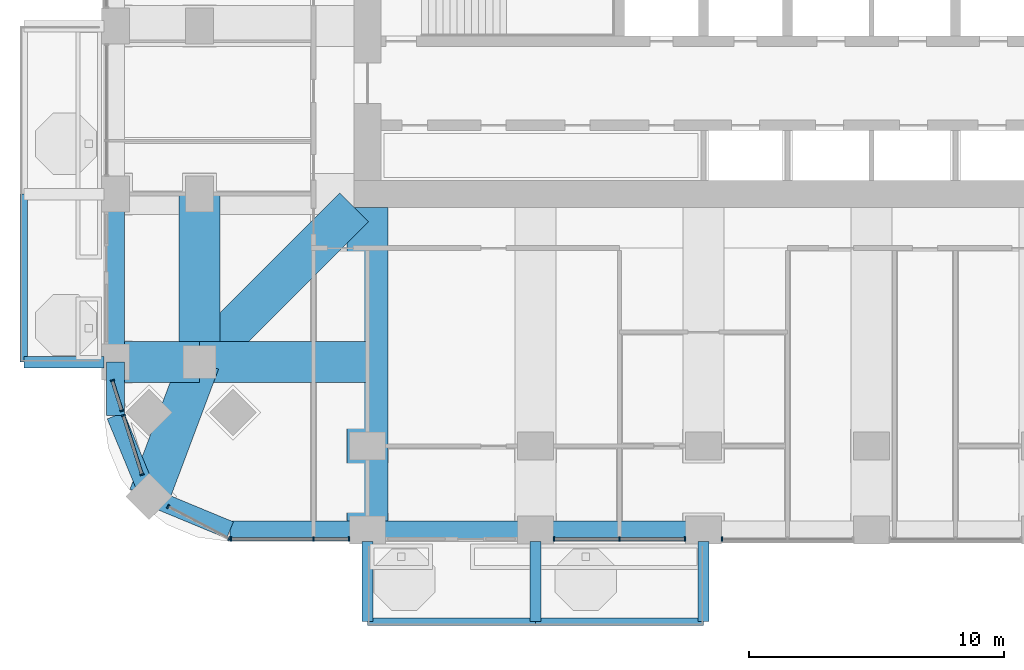
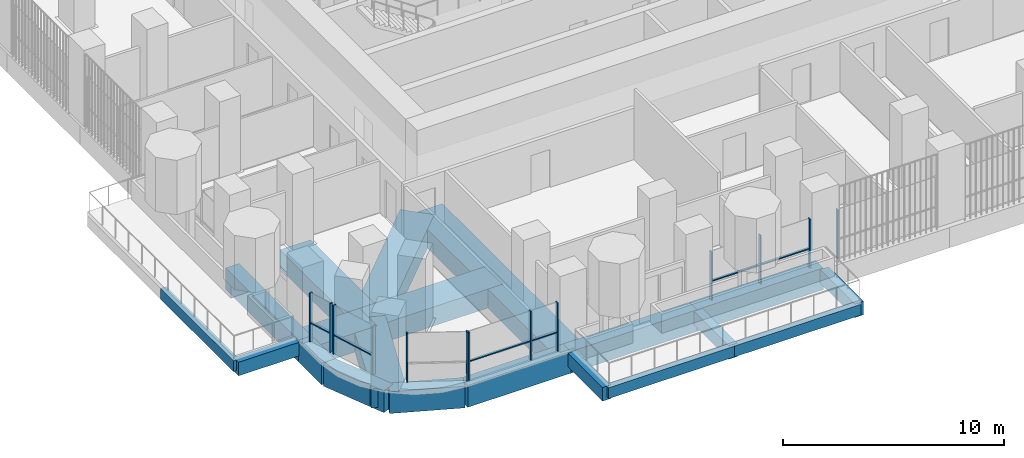
# One storey, part 2 of 21: 20 beams, 19 members, 6 elements without a shape of their own.
"""IFC4 building model written with IfcOpenShell, lengths in metres."""

from ifc_helpers import new_model, si_unit, direction, frame, origin, origin_2d, place, context, subcontext, project, spatial, rectangle, extrude, material, material_profile, profile_set, type_object, element, aggregate, save


model = new_model("IFC4")

# Units and contexts
model_context = context("Model", 3, precision=1e-05, world=origin(), true_north=direction((0.0, 1.0)))
body_context = subcontext(model_context, "Body", "Model", "MODEL_VIEW")
ifc_project = project(units=[si_unit("LENGTHUNIT", "METRE"), si_unit("AREAUNIT", "SQUARE_METRE"), si_unit("VOLUMEUNIT", "CUBIC_METRE"), si_unit("PLANEANGLEUNIT", "RADIAN"), si_unit("MASSUNIT", "GRAM", prefix="KILO")], contexts=[model_context])

# Site, building, storey
site_placement = place(None, origin())
site = spatial("IfcSite", under=ifc_project, at=site_placement, CompositionType="ELEMENT")
building_placement = place(site_placement, origin())
building = spatial("IfcBuilding", under=site, at=building_placement, Name="Cobogo Forest Laboratory Tower", CompositionType="ELEMENT")
storey_placement = place(building_placement, frame((0.0, 0.0, 132.60009765625)))
storey = spatial("IfcBuildingStorey", under=building, at=storey_placement, Name="L30", CompositionType="ELEMENT", Elevation=132.60009765625)

# Beams
ifc_material_1 = material(Name="Concrete HA-40 (C40/50)", Category="concrete")
ifc_material_profile_1 = material_profile(ifc_material_1, rectangle(XDim=0.449951171875, YDim=0.75, at=origin_2d()), Name="RC 450x750")
ifc_profile_set_1 = profile_set([ifc_material_profile_1], Name="Concrete HA-40 (C40/50)")
beam_type_1 = type_object("IfcBeamType", Name="Balcony cantilever beam 450x750", PredefinedType="BEAM", material=ifc_profile_set_1)
for number, where, z_axis, x_axis, name in (
    (1, (13.199951171875, -0.449951171875, -0.625), (0.0, -1.0, 0.0), (1.0, 0.0, 0.0), "CB1 BAL-S1-C1 L30"),
    (2, (19.800048828125, -0.449951171875, -0.625), (0.0, -1.0, 0.0), (1.0, 0.0, 0.0), "CB1 BAL-S1-C2 L30"),
    (3, (26.39990234375, -0.449951171875, -0.625), (0.0, -1.0, 0.0), (1.0, 0.0, 0.0), "CB1 BAL-S1-C3 L30"),
    (4, (2.85009765625, 6.60009765625, -0.625), (-1.0, 0.0, 0.0), (0.0, -1.0, 0.0), "CB1 BAL-W1-C1 L30"),
):
    element("IfcBeam", number, at=place(storey_placement, frame(where, z_axis=z_axis, x_axis=x_axis)), inside=storey, type_object=beam_type_1, Name=name, PredefinedType="BEAM", context=body_context, shape_type="SweptSolid", body=[
        extrude(rectangle(XDim=0.449951171875, YDim=0.75, at=origin_2d()), origin(), (0.0, 0.0, 1.0), 3.150146484375),
    ])
ifc_material_profile_2 = material_profile(ifc_material_1, rectangle(XDim=0.300048828125, YDim=0.60009765625, at=origin_2d()), Name="RC 300x600")
ifc_profile_set_2 = profile_set([ifc_material_profile_2], Name="Concrete HA-40 (C40/50)")
beam_type_2 = type_object("IfcBeamType", Name="Balcony edge beam 300x600", PredefinedType="BEAM", material=ifc_profile_set_2)
beam_1_placement = place(storey_placement, frame((13.199951171875, -3.60009765625, -0.550048828125), z_axis=(1.0, 0.0, 0.0), x_axis=(0.0, 1.0, 0.0)))
element("IfcBeam", 5, at=beam_1_placement, inside=storey, type_object=beam_type_2, Name="BB1 BAL-S1-T1 L30", PredefinedType="BEAM", context=body_context, shape_type="SweptSolid", body=[
    extrude(rectangle(XDim=0.300048828125, YDim=0.60009765625, at=origin_2d()), origin(), (0.0, 0.0, 1.0), 6.60009765625),
])
for number, where, z_axis, x_axis, name in (
    (6, (19.800048828125, -3.60009765625, -0.550048828125), (1.0, 0.0, 0.0), (0.0, 1.0, 0.0), "BB1 BAL-S1-T2 L30"),
    (7, (-0.300048828125, 6.60009765625, -0.550048828125), (0.0, 1.0, 0.0), (-1.0, 0.0, 0.0), "BB1 BAL-W1-T1 L30"),
):
    element("IfcBeam", number, at=place(storey_placement, frame(where, z_axis=z_axis, x_axis=x_axis)), inside=storey, type_object=beam_type_2, Name=name, PredefinedType="BEAM", context=body_context, shape_type="SweptSolid", body=[
        extrude(rectangle(XDim=0.300048828125, YDim=0.60009765625, at=origin_2d()), origin(), (0.0, 0.0, 1.0), 6.599853515625),
    ])
ifc_material_2 = material(Name="Concrete HA-50 (C50/60)", Category="concrete")
ifc_material_profile_3 = material_profile(ifc_material_2, rectangle(XDim=1.60009765625, YDim=1.050048828125, at=origin_2d()), Name="RC 1600x1050")
ifc_profile_set_3 = profile_set([ifc_material_profile_3], Name="Concrete HA-50 (C50/60)")
beam_type_3 = type_object("IfcBeamType", Name="Laboratory floor wide beam 1600x1050", PredefinedType="BEAM", material=ifc_profile_set_3)
beam_2_placement = place(storey_placement, frame((13.199951171875, 12.675048828125, -0.8251953125), z_axis=(0.0, -1.0, 0.0), x_axis=(1.0, 0.0, 0.0)))
element("IfcBeam", 8, at=beam_2_placement, inside=storey, type_object=beam_type_3, Name="RB8 R-3-S L30", PredefinedType="BEAM", context=body_context, shape_type="SweptSolid", body=[
    extrude(rectangle(XDim=1.60009765625, YDim=1.050048828125, at=origin_2d()), origin(), (0.0, 0.0, 1.0), 12.675048828125),
])
beam_3_placement = place(storey_placement, frame((6.60009765625, 6.60009765625, -0.8251953125), z_axis=(0.0, 1.0, 0.0), x_axis=(-1.0, 0.0, 0.0)))
element("IfcBeam", 9, at=beam_3_placement, inside=storey, type_object=beam_type_3, Name="RB8 G-SW-XC L30", PredefinedType="BEAM", context=body_context, shape_type="SweptSolid", body=[
    extrude(rectangle(XDim=1.60009765625, YDim=1.050048828125, at=origin_2d()), origin(), (0.0, 0.0, 1.0), 6.599853515625),
])
beam_4_placement = place(storey_placement, frame((3.300048828125, 6.60009765625, -0.8251953125), z_axis=(1.0, 0.0, 0.0), x_axis=(0.0, 1.0, 0.0)))
element("IfcBeam", 10, at=beam_4_placement, inside=storey, type_object=beam_type_3, Name="RB8 G-SW-YF L30", PredefinedType="BEAM", context=body_context, shape_type="SweptSolid", body=[
    extrude(rectangle(XDim=1.60009765625, YDim=1.050048828125, at=origin_2d()), origin(), (0.0, 0.0, 1.0), 3.300048828125),
])
beam_5_placement = place(storey_placement, frame((6.60009765625, 6.60009765625, -0.8251953125), z_axis=(1.0, 0.0, 0.0), x_axis=(0.0, 1.0, 0.0)))
element("IfcBeam", 11, at=beam_5_placement, inside=storey, type_object=beam_type_3, Name="RB8 G-SW-YC L30", PredefinedType="BEAM", context=body_context, shape_type="SweptSolid", body=[
    extrude(rectangle(XDim=1.60009765625, YDim=1.050048828125, at=origin_2d()), origin(), (0.0, 0.0, 1.0), 6.599853515625),
])
beam_6_placement = place(storey_placement, frame((4.617919921875, 1.318115234375, -0.8251953125), z_axis=(0.351346325373, 0.936245565889, 0.0), x_axis=(-0.936245565889, 0.351346325373, 0.0)))
element("IfcBeam", 12, at=beam_6_placement, inside=storey, type_object=beam_type_3, Name="RB8 G-SW-D1 L30", PredefinedType="BEAM", context=body_context, shape_type="SweptSolid", body=[
    extrude(rectangle(XDim=1.60009765625, YDim=1.050048828125, at=origin_2d()), origin(), (0.0, 0.0, 1.0), 5.6416015625),
])
beam_7_placement = place(storey_placement, frame((6.60009765625, 6.60009765625, -0.8251953125), z_axis=(0.707106781187, 0.707106781187, 0.0), x_axis=(-0.707106781187, 0.707106781187, 0.0)))
element("IfcBeam", 13, at=beam_7_placement, inside=storey, type_object=beam_type_3, Name="RB8 G-SW-D2 L30", PredefinedType="BEAM", context=body_context, shape_type="SweptSolid", body=[
    extrude(rectangle(XDim=1.60009765625, YDim=1.050048828125, at=origin_2d()), origin(), (0.0, 0.0, 1.0), 8.59130859375),
])

# Curtain wall, members
ifc_material_3 = material(Name="Aluminium curtain wall", Category="aluminium")
curtain_wall_type = type_object("IfcCurtainWallType", Name="CW-1 unitised curtain wall, clear glazing, laboratory floors zones A and B", PredefinedType="USERDEFINED", material=ifc_material_3)
curtain_wall_1_placement = place(storey_placement, origin())
curtain_wall_1 = element("IfcCurtainWall", 14, at=curtain_wall_1_placement, inside=storey, type_object=curtain_wall_type, Name="Curtain wall 01 L30", ObjectType="UNITISED CURTAIN WALL", PredefinedType="USERDEFINED")
ifc_material_4 = material(Name="Aluminium mullion", Category="aluminium")
ifc_material_profile_4 = material_profile(ifc_material_4, rectangle(XDim=0.06005859375, YDim=0.159912109375, at=origin_2d()), Name="AL 60x160")
ifc_profile_set_4 = profile_set([ifc_material_profile_4], Name="Aluminium mullion")
member_type_1 = type_object("IfcMemberType", Name="MU-1 aluminium mullion 60x160", PredefinedType="MULLION", material=ifc_profile_set_4)
member_1_placement = place(storey_placement, frame((7.830078125, -0.35009765625, 0.0), z_axis=(0.0, 0.0, 1.0), x_axis=(1.0, 0.0, 0.0)))
member_1 = element("IfcMember", 15, at=member_1_placement, type_object=member_type_1, Name="CW-1 mullion 1", PredefinedType="MULLION", context=body_context, shape_type="SweptSolid", body=[
    extrude(rectangle(XDim=0.06005859375, YDim=0.159912109375, at=origin_2d()), origin(), (0.0, 0.0, 1.0), 2.699951171875),
])
member_2_placement = place(storey_placement, frame((11.074951171875, -0.35009765625, 0.0), z_axis=(0.0, 0.0, 1.0), x_axis=(1.0, 0.0, 0.0)))
member_2 = element("IfcMember", 16, at=member_2_placement, type_object=member_type_1, Name="CW-1 mullion 2", PredefinedType="MULLION", context=body_context, shape_type="SweptSolid", body=[
    extrude(rectangle(XDim=0.06005859375, YDim=0.159912109375, at=origin_2d()), origin(), (0.0, 0.0, 1.0), 2.699951171875),
])
member_3_placement = place(storey_placement, frame((12.469970703125, -0.35009765625, 0.0), z_axis=(0.0, 0.0, 1.0), x_axis=(1.0, 0.0, 0.0)))
member_3 = element("IfcMember", 17, at=member_3_placement, type_object=member_type_1, Name="CW-1 mullion 3", PredefinedType="MULLION", context=body_context, shape_type="SweptSolid", body=[
    extrude(rectangle(XDim=0.06005859375, YDim=0.159912109375, at=origin_2d()), origin(), (0.0, 0.0, 1.0), 2.699951171875),
])

curtain_wall_2_placement = place(storey_placement, origin())
curtain_wall_2 = element("IfcCurtainWall", 18, at=curtain_wall_2_placement, inside=storey, type_object=curtain_wall_type, Name="Curtain wall 03 L30", ObjectType="UNITISED CURTAIN WALL", PredefinedType="USERDEFINED")
member_4_placement = place(storey_placement, frame((20.530029296875, -0.35009765625, 0.0), z_axis=(0.0, 0.0, 1.0), x_axis=(1.0, 0.0, 0.0)))
member_4 = element("IfcMember", 19, at=member_4_placement, type_object=member_type_1, Name="CW-1 mullion 1", PredefinedType="MULLION", context=body_context, shape_type="SweptSolid", body=[
    extrude(rectangle(XDim=0.06005859375, YDim=0.159912109375, at=origin_2d()), origin(), (0.0, 0.0, 1.0), 2.699951171875),
])
member_5_placement = place(storey_placement, frame((23.10009765625, -0.35009765625, 0.0), z_axis=(0.0, 0.0, 1.0), x_axis=(1.0, 0.0, 0.0)))
member_5 = element("IfcMember", 20, at=member_5_placement, type_object=member_type_1, Name="CW-1 mullion 2", PredefinedType="MULLION", context=body_context, shape_type="SweptSolid", body=[
    extrude(rectangle(XDim=0.06005859375, YDim=0.159912109375, at=origin_2d()), origin(), (0.0, 0.0, 1.0), 2.699951171875),
])
member_6_placement = place(storey_placement, frame((25.669921875, -0.35009765625, 0.0), z_axis=(0.0, 0.0, 1.0), x_axis=(1.0, 0.0, 0.0)))
member_6 = element("IfcMember", 21, at=member_6_placement, type_object=member_type_1, Name="CW-1 mullion 3", PredefinedType="MULLION", context=body_context, shape_type="SweptSolid", body=[
    extrude(rectangle(XDim=0.06005859375, YDim=0.159912109375, at=origin_2d()), origin(), (0.0, 0.0, 1.0), 2.699951171875),
])

# Curtain wall, member
curtain_wall_3_placement = place(storey_placement, origin())
curtain_wall_3 = element("IfcCurtainWall", 22, at=curtain_wall_3_placement, inside=storey, type_object=curtain_wall_type, Name="Curtain wall 04 L30", ObjectType="UNITISED CURTAIN WALL", PredefinedType="USERDEFINED")
member_7_placement = place(storey_placement, frame((27.1298828125, -0.35009765625, 0.0), z_axis=(0.0, 0.0, 1.0), x_axis=(1.0, 0.0, 0.0)))
member_7 = element("IfcMember", 23, at=member_7_placement, type_object=member_type_1, Name="CW-1 mullion 1", PredefinedType="MULLION", context=body_context, shape_type="SweptSolid", body=[
    extrude(rectangle(XDim=0.06005859375, YDim=0.159912109375, at=origin_2d()), origin(), (0.0, 0.0, 1.0), 2.699951171875),
])
aggregate(curtain_wall_3, [member_7])

# Curtain wall, members
curtain_wall_4_placement = place(storey_placement, origin())
curtain_wall_4 = element("IfcCurtainWall", 24, at=curtain_wall_4_placement, inside=storey, type_object=curtain_wall_type, Name="Curtain wall 32 L30", ObjectType="UNITISED CURTAIN WALL", PredefinedType="USERDEFINED")
member_8_placement = place(storey_placement, frame((3.18017578125, 5.871337890625, 0.0), z_axis=(0.0, 0.0, 1.0), x_axis=(0.301135356805, -0.953581405483, 0.0)))
member_8 = element("IfcMember", 25, at=member_8_placement, type_object=member_type_1, Name="CW-1 mullion 1", PredefinedType="MULLION", context=body_context, shape_type="SweptSolid", body=[
    extrude(rectangle(XDim=0.06005859375, YDim=0.159912109375, at=origin_2d()), origin(), (0.0, 0.0, 1.0), 2.699951171875),
])
member_9_placement = place(storey_placement, frame((3.55224609375, 4.69287109375, 0.0), z_axis=(0.0, 0.0, 1.0), x_axis=(0.301135356805, -0.953581405483, 0.0)))
member_9 = element("IfcMember", 26, at=member_9_placement, type_object=member_type_1, Name="CW-1 mullion 2", PredefinedType="MULLION", context=body_context, shape_type="SweptSolid", body=[
    extrude(rectangle(XDim=0.06005859375, YDim=0.159912109375, at=origin_2d()), origin(), (0.0, 0.0, 1.0), 2.699951171875),
])

curtain_wall_5_placement = place(storey_placement, origin())
curtain_wall_5 = element("IfcCurtainWall", 27, at=curtain_wall_5_placement, inside=storey, type_object=curtain_wall_type, Name="Curtain wall 33 L30", ObjectType="UNITISED CURTAIN WALL", PredefinedType="USERDEFINED")
member_10_placement = place(storey_placement, frame((3.613037109375, 4.500244140625, 0.0), z_axis=(0.0, 0.0, 1.0), x_axis=(0.301135291996, -0.953581425949, 0.0)))
member_10 = element("IfcMember", 28, at=member_10_placement, type_object=member_type_1, Name="CW-1 mullion 1", PredefinedType="MULLION", context=body_context, shape_type="SweptSolid", body=[
    extrude(rectangle(XDim=0.06005859375, YDim=0.159912109375, at=origin_2d()), origin(), (0.0, 0.0, 1.0), 2.699951171875),
])
member_11_placement = place(storey_placement, frame((4.34423828125, 2.18505859375, 0.0), z_axis=(0.0, 0.0, 1.0), x_axis=(0.301135291996, -0.953581425949, 0.0)))
member_11 = element("IfcMember", 29, at=member_11_placement, type_object=member_type_1, Name="CW-1 mullion 2", PredefinedType="MULLION", context=body_context, shape_type="SweptSolid", body=[
    extrude(rectangle(XDim=0.06005859375, YDim=0.159912109375, at=origin_2d()), origin(), (0.0, 0.0, 1.0), 2.699951171875),
])

curtain_wall_6_placement = place(storey_placement, origin())
curtain_wall_6 = element("IfcCurtainWall", 30, at=curtain_wall_6_placement, inside=storey, type_object=curtain_wall_type, Name="Curtain wall 34 L30", ObjectType="UNITISED CURTAIN WALL", PredefinedType="USERDEFINED")
member_12_placement = place(storey_placement, frame((5.368408203125, 0.9248046875, 0.0), z_axis=(0.0, 0.0, 1.0), x_axis=(0.885686547075, -0.464283685186, 0.0)))
member_12 = element("IfcMember", 31, at=member_12_placement, type_object=member_type_1, Name="CW-1 mullion 1", PredefinedType="MULLION", context=body_context, shape_type="SweptSolid", body=[
    extrude(rectangle(XDim=0.06005859375, YDim=0.159912109375, at=origin_2d()), origin(), (0.0, 0.0, 1.0), 2.699951171875),
])
member_13_placement = place(storey_placement, frame((7.7734375, -0.336181640625, 0.0), z_axis=(0.0, 0.0, 1.0), x_axis=(0.885686547075, -0.464283685186, 0.0)))
member_13 = element("IfcMember", 32, at=member_13_placement, type_object=member_type_1, Name="CW-1 mullion 2", PredefinedType="MULLION", context=body_context, shape_type="SweptSolid", body=[
    extrude(rectangle(XDim=0.06005859375, YDim=0.159912109375, at=origin_2d()), origin(), (0.0, 0.0, 1.0), 2.699951171875),
])
aggregate(curtain_wall_6, [member_12, member_13])

# Beams
ifc_material_profile_5 = material_profile(ifc_material_1, rectangle(XDim=0.699951171875, YDim=1.199951171875, at=origin_2d()), Name="RC 700x1200")
ifc_profile_set_5 = profile_set([ifc_material_profile_5], Name="Concrete HA-40 (C40/50)")
beam_type_4 = type_object("IfcBeamType", Name="Perimeter edge beam 700x1200", PredefinedType="BEAM", material=ifc_profile_set_5)
beam_8_placement = place(storey_placement, frame((13.199951171875, 0.0, -0.900146484375), z_axis=(1.0, 0.0, 0.0), x_axis=(0.0, 1.0, 0.0)))
element("IfcBeam", 33, at=beam_8_placement, inside=storey, type_object=beam_type_4, Name="EB1 E-S1 L30", PredefinedType="BEAM", context=body_context, shape_type="SweptSolid", body=[
    extrude(rectangle(XDim=0.699951171875, YDim=1.199951171875, at=origin_2d()), origin(), (0.0, 0.0, 1.0), 6.60009765625),
])
for number, where, z_axis, x_axis, name in (
    (34, (19.800048828125, 0.0, -0.900146484375), (1.0, 0.0, 0.0), (0.0, 1.0, 0.0), "EB1 E-S2 L30"),
    (35, (3.300048828125, 6.60009765625, -0.900146484375), (0.0, 1.0, 0.0), (-1.0, 0.0, 0.0), "EB1 E-W1 L30"),
):
    element("IfcBeam", number, at=place(storey_placement, frame(where, z_axis=z_axis, x_axis=x_axis)), inside=storey, type_object=beam_type_4, Name=name, PredefinedType="BEAM", context=body_context, shape_type="SweptSolid", body=[
        extrude(rectangle(XDim=0.699951171875, YDim=1.199951171875, at=origin_2d()), origin(), (0.0, 0.0, 1.0), 6.599853515625),
    ])
beam_9_placement = place(storey_placement, frame((13.199951171875, 0.0, -0.900146484375), z_axis=(-1.0, 0.0, 0.0), x_axis=(0.0, -1.0, 0.0)))
element("IfcBeam", 36, at=beam_9_placement, inside=storey, type_object=beam_type_4, Name="EB1 E-SWS1 L30", PredefinedType="BEAM", context=body_context, shape_type="SweptSolid", body=[
    extrude(rectangle(XDim=0.699951171875, YDim=1.199951171875, at=origin_2d()), origin(), (0.0, 0.0, 1.0), 5.39990234375),
])
beam_10_placement = place(storey_placement, frame((7.800048828125, 0.0, -0.900146484375), z_axis=(-0.923876013265, 0.382691928466, 0.0), x_axis=(-0.382691928466, -0.923876013265, 0.0)))
element("IfcBeam", 37, at=beam_10_placement, inside=storey, type_object=beam_type_4, Name="EB1 E-SWS2 L30", PredefinedType="BEAM", context=body_context, shape_type="SweptSolid", body=[
    extrude(rectangle(XDim=0.699951171875, YDim=1.199951171875, at=origin_2d()), origin(), (0.0, 0.0, 1.0), 3.4443359375),
])
beam_11_placement = place(storey_placement, frame((3.300048828125, 6.60009765625, -0.900146484375), z_axis=(0.0, -1.0, 0.0), x_axis=(1.0, 0.0, 0.0)))
element("IfcBeam", 38, at=beam_11_placement, inside=storey, type_object=beam_type_4, Name="EB1 E-SWW1 L30", PredefinedType="BEAM", context=body_context, shape_type="SweptSolid", body=[
    extrude(rectangle(XDim=0.699951171875, YDim=1.199951171875, at=origin_2d()), origin(), (0.0, 0.0, 1.0), 2.10009765625),
])
beam_12_placement = place(storey_placement, frame((3.300048828125, 4.5, -0.900146484375), z_axis=(0.382656484822, -0.923890694089, 0.0), x_axis=(0.923890694089, 0.382656484822, 0.0)))
element("IfcBeam", 39, at=beam_12_placement, inside=storey, type_object=beam_type_4, Name="EB1 E-SWW2 L30", PredefinedType="BEAM", context=body_context, shape_type="SweptSolid", body=[
    extrude(rectangle(XDim=0.699951171875, YDim=1.199951171875, at=origin_2d()), origin(), (0.0, 0.0, 1.0), 3.444091796875),
])

# Member
ifc_material_5 = material(Name="Aluminium transom", Category="aluminium")
ifc_material_profile_6 = material_profile(ifc_material_5, rectangle(XDim=0.1201171875, YDim=0.06005859375, at=origin_2d()), Name="AL 60x120")
ifc_profile_set_6 = profile_set([ifc_material_profile_6], Name="Aluminium transom")
member_type_2 = type_object("IfcMemberType", Name="TR-1 aluminium transom 60x120", PredefinedType="USERDEFINED", material=ifc_profile_set_6)
member_14_placement = place(storey_placement, frame((7.860107421875, -0.35009765625, 1.0498046875), z_axis=(1.0, 0.0, 0.0), x_axis=(0.0, 1.0, 0.0)))
member_14 = element("IfcMember", 40, at=member_14_placement, type_object=member_type_2, Name="CW-1 transom 1.1", ObjectType="TRANSOM", PredefinedType="USERDEFINED", context=body_context, shape_type="SweptSolid", body=[
    extrude(rectangle(XDim=0.1201171875, YDim=0.06005859375, at=origin_2d()), origin(), (0.0, 0.0, 1.0), 3.184814453125),
])

member_15_placement = place(storey_placement, frame((11.10498046875, -0.35009765625, 1.0498046875), z_axis=(1.0, 0.0, 0.0), x_axis=(0.0, 1.0, 0.0)))
member_15 = element("IfcMember", 41, at=member_15_placement, type_object=member_type_2, Name="CW-1 transom 2.1", ObjectType="TRANSOM", PredefinedType="USERDEFINED", context=body_context, shape_type="SweptSolid", body=[
    extrude(rectangle(XDim=0.1201171875, YDim=0.06005859375, at=origin_2d()), origin(), (0.0, 0.0, 1.0), 1.3349609375),
])

aggregate(curtain_wall_1, [member_1, member_2, member_3, member_14, member_15])

member_16_placement = place(storey_placement, frame((20.56005859375, -0.35009765625, 1.0498046875), z_axis=(1.0, 0.0, 0.0), x_axis=(0.0, 1.0, 0.0)))
member_16 = element("IfcMember", 42, at=member_16_placement, type_object=member_type_2, Name="CW-1 transom 1.1", ObjectType="TRANSOM", PredefinedType="USERDEFINED", context=body_context, shape_type="SweptSolid", body=[
    extrude(rectangle(XDim=0.1201171875, YDim=0.06005859375, at=origin_2d()), origin(), (0.0, 0.0, 1.0), 2.510009765625),
])

member_17_placement = place(storey_placement, frame((23.1298828125, -0.35009765625, 1.0498046875), z_axis=(1.0, 0.0, 0.0), x_axis=(0.0, 1.0, 0.0)))
member_17 = element("IfcMember", 43, at=member_17_placement, type_object=member_type_2, Name="CW-1 transom 2.1", ObjectType="TRANSOM", PredefinedType="USERDEFINED", context=body_context, shape_type="SweptSolid", body=[
    extrude(rectangle(XDim=0.1201171875, YDim=0.06005859375, at=origin_2d()), origin(), (0.0, 0.0, 1.0), 2.510009765625),
])

aggregate(curtain_wall_2, [member_4, member_5, member_6, member_16, member_17])

member_18_placement = place(storey_placement, frame((3.189208984375, 5.8427734375, 1.0498046875), z_axis=(0.301111490799, -0.953588941897, 0.0), x_axis=(0.953588941897, 0.301111490799, 0.0)))
member_18 = element("IfcMember", 44, at=member_18_placement, type_object=member_type_2, Name="CW-1 transom 1.1", ObjectType="TRANSOM", PredefinedType="USERDEFINED", context=body_context, shape_type="SweptSolid", body=[
    extrude(rectangle(XDim=0.1201171875, YDim=0.06005859375, at=origin_2d()), origin(), (0.0, 0.0, 1.0), 1.175537109375),
])

aggregate(curtain_wall_4, [member_8, member_9, member_18])

member_19_placement = place(storey_placement, frame((3.6220703125, 4.4716796875, 1.0498046875), z_axis=(0.301156039198, -0.953574873859, 0.0), x_axis=(0.953574873859, 0.301156039198, 0.0)))
member_19 = element("IfcMember", 45, at=member_19_placement, type_object=member_type_2, Name="CW-1 transom 1.1", ObjectType="TRANSOM", PredefinedType="USERDEFINED", context=body_context, shape_type="SweptSolid", body=[
    extrude(rectangle(XDim=0.1201171875, YDim=0.06005859375, at=origin_2d()), origin(), (0.0, 0.0, 1.0), 2.367919921875),
])

aggregate(curtain_wall_5, [member_10, member_11, member_19])

save(model, "model.ifc")
